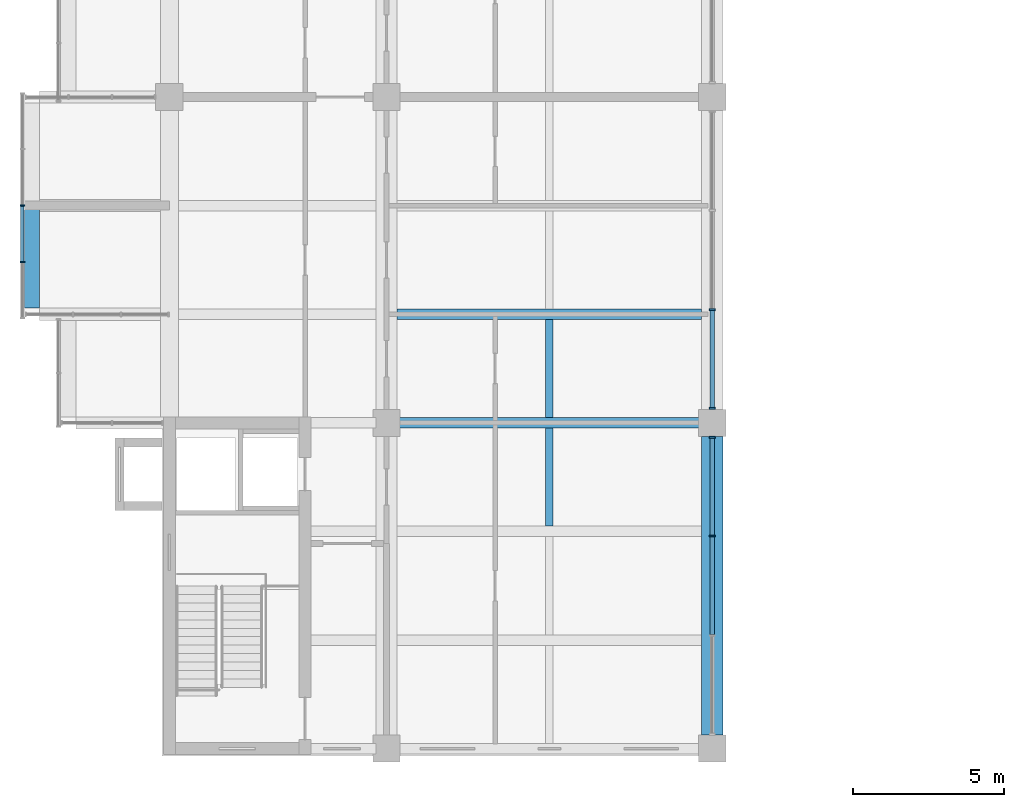
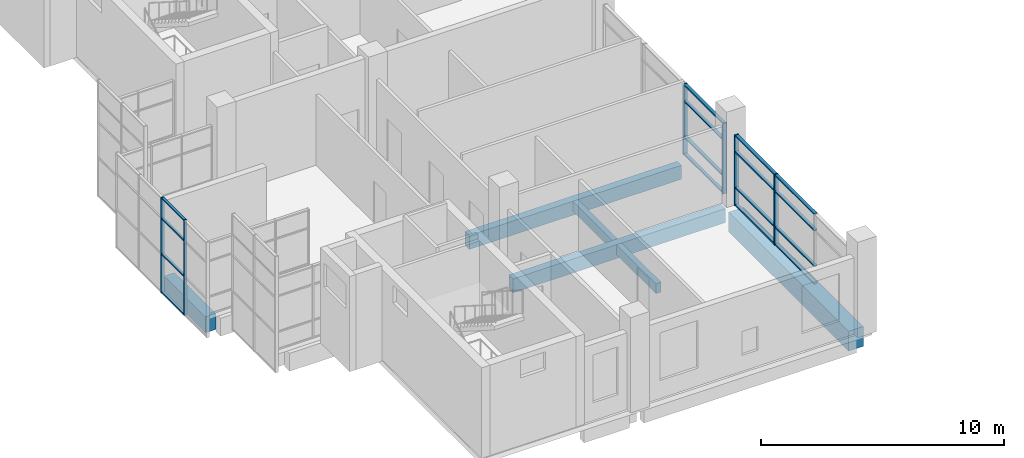
# One storey, part 3 of 23: 22 members, 6 beams, 3 elements without a shape of their own.
"""IFC4 building model written with IfcOpenShell, lengths in metres."""

from ifc_helpers import new_model, si_unit, direction, frame, origin, origin_2d, place, context, subcontext, project, spatial, rectangle, extrude, material, layer, layer_set, material_profile, profile_set, type_object, element, aggregate, save


model = new_model("IFC4")

# Units and contexts
model_context = context("Model", 3, precision=1e-05, world=origin(), true_north=direction((0.0, 1.0)))
body_context = subcontext(model_context, "Body", "Model", "MODEL_VIEW")
ifc_project = project(units=[si_unit("LENGTHUNIT", "METRE"), si_unit("AREAUNIT", "SQUARE_METRE"), si_unit("VOLUMEUNIT", "CUBIC_METRE"), si_unit("PLANEANGLEUNIT", "RADIAN"), si_unit("MASSUNIT", "GRAM", prefix="KILO")], contexts=[model_context])

# Site, building, storey
site_placement = place(None, origin())
site = spatial("IfcSite", under=ifc_project, at=site_placement, CompositionType="ELEMENT")
building_placement = place(site_placement, origin())
building = spatial("IfcBuilding", under=site, at=building_placement, Name="Basin Gate Institute", CompositionType="ELEMENT")
storey_placement = place(building_placement, frame((0.0, 0.0, 46.199951171875)))
storey = spatial("IfcBuildingStorey", under=building, at=storey_placement, Name="L09", CompositionType="ELEMENT", Elevation=46.199951171875)

# Beams
ifc_material_1 = material(Name="Concrete 40 MPa", Category="concrete")
ifc_material_profile_1 = material_profile(ifc_material_1, rectangle(XDim=0.35009765625, YDim=0.699951171875, at=origin_2d()), Name="Beam B1 350 x 700")
ifc_profile_set_1 = profile_set([ifc_material_profile_1], Name="Concrete 40 MPa")
beam_type_1 = type_object("IfcBeamType", Name="Beam B1 R120", PredefinedType="BEAM", material=ifc_profile_set_1)
for number, where, z_axis, x_axis, name in (
    (1, (68.75, 45.89990234375, -0.599853515625), (1.0, 0.0, 0.0), (0.0, 1.0, 0.0), "BEAM/L09/W/EW/04"),
    (2, (68.75, 49.5, -0.599853515625), (1.0, 0.0, 0.0), (0.0, 1.0, 0.0), "BEAM/L09/W/EW/05"),
):
    element("IfcBeam", number, at=place(storey_placement, frame(where, z_axis=z_axis, x_axis=x_axis)), inside=storey, type_object=beam_type_1, material=ifc_profile_set_1, Name=name, PredefinedType="BEAM", context=body_context, shape_type="SweptSolid", body=[
        extrude(rectangle(XDim=0.35009765625, YDim=0.699951171875, at=origin_2d()), origin(), (0.0, 0.0, 1.0), 10.10009765625),
    ])
ifc_material_2 = material(Name="Concrete 50 MPa", Category="concrete")
ifc_material_profile_2 = material_profile(ifc_material_2, rectangle(XDim=0.699951171875, YDim=1.0, at=origin_2d()), Name="Girder G1 700 x 1000")
ifc_profile_set_2 = profile_set([ifc_material_profile_2], Name="Concrete 50 MPa")
beam_type_2 = type_object("IfcBeamType", Name="Girder G1 R120", PredefinedType="BEAM", material=ifc_profile_set_2)
beam_1_placement = place(storey_placement, frame((79.199951171875, 35.550048828125, -0.75), z_axis=(0.0, 1.0, 0.0), x_axis=(-1.0, 0.0, 0.0)))
element("IfcBeam", 3, at=beam_1_placement, inside=storey, type_object=beam_type_2, material=ifc_profile_set_2, Name="GIR/L09/W6/1", PredefinedType="BEAM", context=body_context, shape_type="SweptSolid", body=[
    extrude(rectangle(XDim=0.699951171875, YDim=1.0, at=origin_2d()), origin(), (0.0, 0.0, 1.0), 9.89990234375),
])

# Curtain wall, members
ifc_material_3 = material(Name="Aluminium-framed glazing", Category="aluminium")
ifc_layer_1 = layer(ifc_material_3, 0.14990234375)
ifc_layer_set_1 = layer_set([ifc_layer_1], Name="Capsule front curtain wall CW1")
curtain_wall_type_1 = type_object("IfcCurtainWallType", Name="Capsule front curtain wall CW1", PredefinedType="NOTDEFINED", material=ifc_layer_set_1)
curtain_wall_1_placement = place(storey_placement, origin())
curtain_wall_1 = element("IfcCurtainWall", 4, at=curtain_wall_1_placement, inside=storey, type_object=curtain_wall_type_1, material=ifc_layer_set_1, Name="Capsule front curtain wall W wing capsule 1 L09 front 2", PredefinedType="NOTDEFINED")
ifc_material_4 = material(Name="Aluminium", Category="aluminium")
ifc_material_profile_3 = material_profile(ifc_material_4, rectangle(XDim=0.14990234375, YDim=0.050048828125, at=origin_2d()), Name="Mullion MU1 150 x 50")
ifc_profile_set_3 = profile_set([ifc_material_profile_3], Name="Aluminium")
member_type_1 = type_object("IfcMemberType", Name="Mullion MU1", PredefinedType="MULLION", material=ifc_profile_set_3)
member_1_placement = place(storey_placement, frame((56.324951171875, 51.22509765625, -1.050048828125), z_axis=(0.0, 0.0, 1.0), x_axis=(-1.0, 0.0, 0.0)))
member_1 = element("IfcMember", 5, at=member_1_placement, type_object=member_type_1, material=ifc_profile_set_3, Name="CW1 mullion 2", PredefinedType="MULLION", context=body_context, shape_type="SweptSolid", body=[
    extrude(rectangle(XDim=0.14990234375, YDim=0.050048828125, at=origin_2d()), origin(), (0.0, 0.0, 1.0), 4.800048828125),
])
member_2_placement = place(storey_placement, frame((56.324951171875, 53.10009765625, -1.050048828125), z_axis=(0.0, 0.0, 1.0), x_axis=(-1.0, 0.0, 0.0)))
member_2 = element("IfcMember", 6, at=member_2_placement, type_object=member_type_1, material=ifc_profile_set_3, Name="CW1 mullion 3", PredefinedType="MULLION", context=body_context, shape_type="SweptSolid", body=[
    extrude(rectangle(XDim=0.14990234375, YDim=0.050048828125, at=origin_2d()), origin(), (0.0, 0.0, 1.0), 4.800048828125),
])

ifc_material_5 = material(Name="Aluminium-framed glazing", Category="aluminium")
ifc_layer_2 = layer(ifc_material_5, 0.199951171875)
ifc_layer_set_2 = layer_set([ifc_layer_2], Name="Atrium curtain wall CW2")
curtain_wall_type_2 = type_object("IfcCurtainWallType", Name="Atrium curtain wall CW2", PredefinedType="NOTDEFINED", material=ifc_layer_set_2)
curtain_wall_2_placement = place(storey_placement, origin())
curtain_wall_2 = element("IfcCurtainWall", 7, at=curtain_wall_2_placement, inside=storey, type_object=curtain_wall_type_2, material=ifc_layer_set_2, Name="Atrium curtain wall W wing atrium bay 1 L09", PredefinedType="NOTDEFINED")
ifc_material_6 = material(Name="Aluminium", Category="aluminium")
ifc_material_profile_4 = material_profile(ifc_material_6, rectangle(XDim=0.199951171875, YDim=0.06005859375, at=origin_2d()), Name="Mullion MU2 200 x 60")
ifc_profile_set_4 = profile_set([ifc_material_profile_4], Name="Aluminium")
member_type_2 = type_object("IfcMemberType", Name="Mullion MU2", PredefinedType="MULLION", material=ifc_profile_set_4)
member_3_placement = place(storey_placement, frame((79.199951171875, 42.14990234375, 0.0), z_axis=(0.0, 0.0, 1.0), x_axis=(-1.0, 0.0, 0.0)))
member_3 = element("IfcMember", 8, at=member_3_placement, type_object=member_type_2, material=ifc_profile_set_4, Name="CW2 mullion 3", PredefinedType="MULLION", context=body_context, shape_type="SweptSolid", body=[
    extrude(rectangle(XDim=0.199951171875, YDim=0.06005859375, at=origin_2d()), origin(), (0.0, 0.0, 1.0), 3.550048828125),
])
member_4_placement = place(storey_placement, frame((79.199951171875, 45.419921875, 0.0), z_axis=(0.0, 0.0, 1.0), x_axis=(-1.0, 0.0, 0.0)))
member_4 = element("IfcMember", 9, at=member_4_placement, type_object=member_type_2, material=ifc_profile_set_4, Name="CW2 mullion 4", PredefinedType="MULLION", context=body_context, shape_type="SweptSolid", body=[
    extrude(rectangle(XDim=0.199951171875, YDim=0.06005859375, at=origin_2d()), origin(), (0.0, 0.0, 1.0), 3.550048828125),
])

curtain_wall_3_placement = place(storey_placement, origin())
curtain_wall_3 = element("IfcCurtainWall", 10, at=curtain_wall_3_placement, inside=storey, type_object=curtain_wall_type_2, material=ifc_layer_set_2, Name="Atrium curtain wall W wing atrium bay 2 L09", PredefinedType="NOTDEFINED")
member_5_placement = place(storey_placement, frame((79.199951171875, 46.3798828125, 0.0), z_axis=(0.0, 0.0, 1.0), x_axis=(-1.0, 0.0, 0.0)))
member_5 = element("IfcMember", 11, at=member_5_placement, type_object=member_type_2, material=ifc_profile_set_4, Name="CW2 mullion 1", PredefinedType="MULLION", context=body_context, shape_type="SweptSolid", body=[
    extrude(rectangle(XDim=0.199951171875, YDim=0.06005859375, at=origin_2d()), origin(), (0.0, 0.0, 1.0), 3.550048828125),
])
member_6_placement = place(storey_placement, frame((79.199951171875, 49.64990234375, 0.0), z_axis=(0.0, 0.0, 1.0), x_axis=(-1.0, 0.0, 0.0)))
member_6 = element("IfcMember", 12, at=member_6_placement, type_object=member_type_2, material=ifc_profile_set_4, Name="CW2 mullion 2", PredefinedType="MULLION", context=body_context, shape_type="SweptSolid", body=[
    extrude(rectangle(XDim=0.199951171875, YDim=0.06005859375, at=origin_2d()), origin(), (0.0, 0.0, 1.0), 3.550048828125),
])

# Beams
ifc_material_7 = material(Name="Concrete 40 MPa", Category="concrete")
ifc_material_profile_5 = material_profile(ifc_material_7, rectangle(XDim=0.25, YDim=0.5, at=origin_2d()), Name="Rib R1 250 x 500")
ifc_profile_set_5 = profile_set([ifc_material_profile_5], Name="Concrete 40 MPa")
beam_type_3 = type_object("IfcBeamType", Name="Rib R1 R120", PredefinedType="JOIST", material=ifc_profile_set_5)
for number, where, z_axis, x_axis, name in (
    (13, (73.800048828125, 42.47509765625, -0.5), (0.0, 1.0, 0.0), (-1.0, 0.0, 0.0), "BEAM/L09/W/RIB/03"),
    (14, (73.800048828125, 46.074951171875, -0.5), (0.0, 1.0, 0.0), (-1.0, 0.0, 0.0), "BEAM/L09/W/RIB/04"),
):
    element("IfcBeam", number, at=place(storey_placement, frame(where, z_axis=z_axis, x_axis=x_axis)), inside=storey, type_object=beam_type_3, material=ifc_profile_set_5, Name=name, PredefinedType="JOIST", context=body_context, shape_type="SweptSolid", body=[
        extrude(rectangle(XDim=0.25, YDim=0.5, at=origin_2d()), origin(), (0.0, 0.0, 1.0), 3.25),
    ])
ifc_material_8 = material(Name="Concrete 50 MPa", Category="concrete")
ifc_material_profile_6 = material_profile(ifc_material_8, rectangle(XDim=0.5, YDim=0.800048828125, at=origin_2d()), Name="Tip beam TB1 500 x 800")
ifc_profile_set_6 = profile_set([ifc_material_profile_6], Name="Concrete 50 MPa")
beam_type_4 = type_object("IfcBeamType", Name="Tip beam TB1 R120", PredefinedType="SPANDREL", material=ifc_profile_set_6)
beam_2_placement = place(storey_placement, frame((56.64990234375, 49.699951171875, -0.64990234375), z_axis=(0.0, 1.0, 0.0), x_axis=(-1.0, 0.0, 0.0)))
element("IfcBeam", 15, at=beam_2_placement, inside=storey, type_object=beam_type_4, material=ifc_profile_set_6, Name="BEAM/L09/W/TIP/2", PredefinedType="SPANDREL", context=body_context, shape_type="SweptSolid", body=[
    extrude(rectangle(XDim=0.5, YDim=0.800048828125, at=origin_2d()), origin(), (0.0, 0.0, 1.0), 3.400146484375),
])

# Member
ifc_material_9 = material(Name="Aluminium", Category="aluminium")
ifc_material_profile_7 = material_profile(ifc_material_9, rectangle(XDim=0.1201171875, YDim=0.06005859375, at=origin_2d()), Name="Transom TR1 120 x 60")
ifc_profile_set_7 = profile_set([ifc_material_profile_7], Name="Aluminium")
member_type_3 = type_object("IfcMemberType", Name="Transom TR1", PredefinedType="USERDEFINED", material=ifc_profile_set_7)
member_7_placement = place(storey_placement, frame((56.324951171875, 51.25, -1.02001953125), z_axis=(0.0, 1.0, 0.0), x_axis=(-1.0, 0.0, 0.0)))
member_7 = element("IfcMember", 16, at=member_7_placement, type_object=member_type_3, material=ifc_profile_set_7, Name="CW1 transom 2.1", ObjectType="TRANSOM", PredefinedType="USERDEFINED", context=body_context, shape_type="SweptSolid", body=[
    extrude(rectangle(XDim=0.1201171875, YDim=0.06005859375, at=origin_2d()), origin(), (0.0, 0.0, 1.0), 1.824951171875),
])

member_8_placement = place(storey_placement, frame((56.324951171875, 51.25, 0.900146484375), z_axis=(0.0, 1.0, 0.0), x_axis=(-1.0, 0.0, 0.0)))
member_8 = element("IfcMember", 17, at=member_8_placement, type_object=member_type_3, material=ifc_profile_set_7, Name="CW1 transom 2.2", ObjectType="TRANSOM", PredefinedType="USERDEFINED", context=body_context, shape_type="SweptSolid", body=[
    extrude(rectangle(XDim=0.1201171875, YDim=0.06005859375, at=origin_2d()), origin(), (0.0, 0.0, 1.0), 1.824951171875),
])

member_9_placement = place(storey_placement, frame((56.324951171875, 51.25, 2.699951171875), z_axis=(0.0, 1.0, 0.0), x_axis=(-1.0, 0.0, 0.0)))
member_9 = element("IfcMember", 18, at=member_9_placement, type_object=member_type_3, material=ifc_profile_set_7, Name="CW1 transom 2.3", ObjectType="TRANSOM", PredefinedType="USERDEFINED", context=body_context, shape_type="SweptSolid", body=[
    extrude(rectangle(XDim=0.1201171875, YDim=0.06005859375, at=origin_2d()), origin(), (0.0, 0.0, 1.0), 1.824951171875),
])

member_10_placement = place(storey_placement, frame((56.324951171875, 51.25, 3.719970703125), z_axis=(0.0, 1.0, 0.0), x_axis=(-1.0, 0.0, 0.0)))
member_10 = element("IfcMember", 19, at=member_10_placement, type_object=member_type_3, material=ifc_profile_set_7, Name="CW1 transom 2.4", ObjectType="TRANSOM", PredefinedType="USERDEFINED", context=body_context, shape_type="SweptSolid", body=[
    extrude(rectangle(XDim=0.1201171875, YDim=0.06005859375, at=origin_2d()), origin(), (0.0, 0.0, 1.0), 1.824951171875),
])

aggregate(curtain_wall_1, [member_1, member_2, member_7, member_8, member_9, member_10])

ifc_material_10 = material(Name="Aluminium", Category="aluminium")
ifc_material_profile_8 = material_profile(ifc_material_10, rectangle(XDim=0.14990234375, YDim=0.06005859375, at=origin_2d()), Name="Transom TR2 150 x 60")
ifc_profile_set_8 = profile_set([ifc_material_profile_8], Name="Aluminium")
member_type_4 = type_object("IfcMemberType", Name="Transom TR2", PredefinedType="USERDEFINED", material=ifc_profile_set_8)
member_11_placement = place(storey_placement, frame((79.199951171875, 38.8798828125, 0.030029296875), z_axis=(0.0, 1.0, 0.0), x_axis=(-1.0, 0.0, 0.0)))
member_11 = element("IfcMember", 20, at=member_11_placement, type_object=member_type_4, material=ifc_profile_set_8, Name="CW2 transom 2.1", ObjectType="TRANSOM", PredefinedType="USERDEFINED", context=body_context, shape_type="SweptSolid", body=[
    extrude(rectangle(XDim=0.14990234375, YDim=0.06005859375, at=origin_2d()), origin(), (0.0, 0.0, 1.0), 3.240234375),
])

member_12_placement = place(storey_placement, frame((79.199951171875, 38.8798828125, 0.900146484375), z_axis=(0.0, 1.0, 0.0), x_axis=(-1.0, 0.0, 0.0)))
member_12 = element("IfcMember", 21, at=member_12_placement, type_object=member_type_4, material=ifc_profile_set_8, Name="CW2 transom 2.2", ObjectType="TRANSOM", PredefinedType="USERDEFINED", context=body_context, shape_type="SweptSolid", body=[
    extrude(rectangle(XDim=0.14990234375, YDim=0.06005859375, at=origin_2d()), origin(), (0.0, 0.0, 1.0), 3.240234375),
])

member_13_placement = place(storey_placement, frame((79.199951171875, 38.8798828125, 2.699951171875), z_axis=(0.0, 1.0, 0.0), x_axis=(-1.0, 0.0, 0.0)))
member_13 = element("IfcMember", 22, at=member_13_placement, type_object=member_type_4, material=ifc_profile_set_8, Name="CW2 transom 2.3", ObjectType="TRANSOM", PredefinedType="USERDEFINED", context=body_context, shape_type="SweptSolid", body=[
    extrude(rectangle(XDim=0.14990234375, YDim=0.06005859375, at=origin_2d()), origin(), (0.0, 0.0, 1.0), 3.240234375),
])

member_14_placement = place(storey_placement, frame((79.199951171875, 38.8798828125, 3.52001953125), z_axis=(0.0, 1.0, 0.0), x_axis=(-1.0, 0.0, 0.0)))
member_14 = element("IfcMember", 23, at=member_14_placement, type_object=member_type_4, material=ifc_profile_set_8, Name="CW2 transom 2.4", ObjectType="TRANSOM", PredefinedType="USERDEFINED", context=body_context, shape_type="SweptSolid", body=[
    extrude(rectangle(XDim=0.14990234375, YDim=0.06005859375, at=origin_2d()), origin(), (0.0, 0.0, 1.0), 3.240234375),
])

member_15_placement = place(storey_placement, frame((79.199951171875, 42.179931640625, 0.030029296875), z_axis=(0.0, 1.0, 0.0), x_axis=(-1.0, 0.0, 0.0)))
member_15 = element("IfcMember", 24, at=member_15_placement, type_object=member_type_4, material=ifc_profile_set_8, Name="CW2 transom 3.1", ObjectType="TRANSOM", PredefinedType="USERDEFINED", context=body_context, shape_type="SweptSolid", body=[
    extrude(rectangle(XDim=0.14990234375, YDim=0.06005859375, at=origin_2d()), origin(), (0.0, 0.0, 1.0), 3.2099609375),
])

member_16_placement = place(storey_placement, frame((79.199951171875, 42.179931640625, 0.900146484375), z_axis=(0.0, 1.0, 0.0), x_axis=(-1.0, 0.0, 0.0)))
member_16 = element("IfcMember", 25, at=member_16_placement, type_object=member_type_4, material=ifc_profile_set_8, Name="CW2 transom 3.2", ObjectType="TRANSOM", PredefinedType="USERDEFINED", context=body_context, shape_type="SweptSolid", body=[
    extrude(rectangle(XDim=0.14990234375, YDim=0.06005859375, at=origin_2d()), origin(), (0.0, 0.0, 1.0), 3.2099609375),
])

member_17_placement = place(storey_placement, frame((79.199951171875, 42.179931640625, 2.699951171875), z_axis=(0.0, 1.0, 0.0), x_axis=(-1.0, 0.0, 0.0)))
member_17 = element("IfcMember", 26, at=member_17_placement, type_object=member_type_4, material=ifc_profile_set_8, Name="CW2 transom 3.3", ObjectType="TRANSOM", PredefinedType="USERDEFINED", context=body_context, shape_type="SweptSolid", body=[
    extrude(rectangle(XDim=0.14990234375, YDim=0.06005859375, at=origin_2d()), origin(), (0.0, 0.0, 1.0), 3.2099609375),
])

member_18_placement = place(storey_placement, frame((79.199951171875, 42.179931640625, 3.52001953125), z_axis=(0.0, 1.0, 0.0), x_axis=(-1.0, 0.0, 0.0)))
member_18 = element("IfcMember", 27, at=member_18_placement, type_object=member_type_4, material=ifc_profile_set_8, Name="CW2 transom 3.4", ObjectType="TRANSOM", PredefinedType="USERDEFINED", context=body_context, shape_type="SweptSolid", body=[
    extrude(rectangle(XDim=0.14990234375, YDim=0.06005859375, at=origin_2d()), origin(), (0.0, 0.0, 1.0), 3.2099609375),
])

aggregate(curtain_wall_2, [member_3, member_4, member_11, member_12, member_13, member_14, member_15, member_16, member_17, member_18])

member_19_placement = place(storey_placement, frame((79.199951171875, 46.409912109375, 0.030029296875), z_axis=(0.0, 1.0, 0.0), x_axis=(-1.0, 0.0, 0.0)))
member_19 = element("IfcMember", 28, at=member_19_placement, type_object=member_type_4, material=ifc_profile_set_8, Name="CW2 transom 1.1", ObjectType="TRANSOM", PredefinedType="USERDEFINED", context=body_context, shape_type="SweptSolid", body=[
    extrude(rectangle(XDim=0.14990234375, YDim=0.06005859375, at=origin_2d()), origin(), (0.0, 0.0, 1.0), 3.210205078125),
])

member_20_placement = place(storey_placement, frame((79.199951171875, 46.409912109375, 0.900146484375), z_axis=(0.0, 1.0, 0.0), x_axis=(-1.0, 0.0, 0.0)))
member_20 = element("IfcMember", 29, at=member_20_placement, type_object=member_type_4, material=ifc_profile_set_8, Name="CW2 transom 1.2", ObjectType="TRANSOM", PredefinedType="USERDEFINED", context=body_context, shape_type="SweptSolid", body=[
    extrude(rectangle(XDim=0.14990234375, YDim=0.06005859375, at=origin_2d()), origin(), (0.0, 0.0, 1.0), 3.210205078125),
])

member_21_placement = place(storey_placement, frame((79.199951171875, 46.409912109375, 2.699951171875), z_axis=(0.0, 1.0, 0.0), x_axis=(-1.0, 0.0, 0.0)))
member_21 = element("IfcMember", 30, at=member_21_placement, type_object=member_type_4, material=ifc_profile_set_8, Name="CW2 transom 1.3", ObjectType="TRANSOM", PredefinedType="USERDEFINED", context=body_context, shape_type="SweptSolid", body=[
    extrude(rectangle(XDim=0.14990234375, YDim=0.06005859375, at=origin_2d()), origin(), (0.0, 0.0, 1.0), 3.210205078125),
])

member_22_placement = place(storey_placement, frame((79.199951171875, 46.409912109375, 3.52001953125), z_axis=(0.0, 1.0, 0.0), x_axis=(-1.0, 0.0, 0.0)))
member_22 = element("IfcMember", 31, at=member_22_placement, type_object=member_type_4, material=ifc_profile_set_8, Name="CW2 transom 1.4", ObjectType="TRANSOM", PredefinedType="USERDEFINED", context=body_context, shape_type="SweptSolid", body=[
    extrude(rectangle(XDim=0.14990234375, YDim=0.06005859375, at=origin_2d()), origin(), (0.0, 0.0, 1.0), 3.210205078125),
])

aggregate(curtain_wall_3, [member_5, member_6, member_19, member_20, member_21, member_22])

save(model, "model.ifc")
